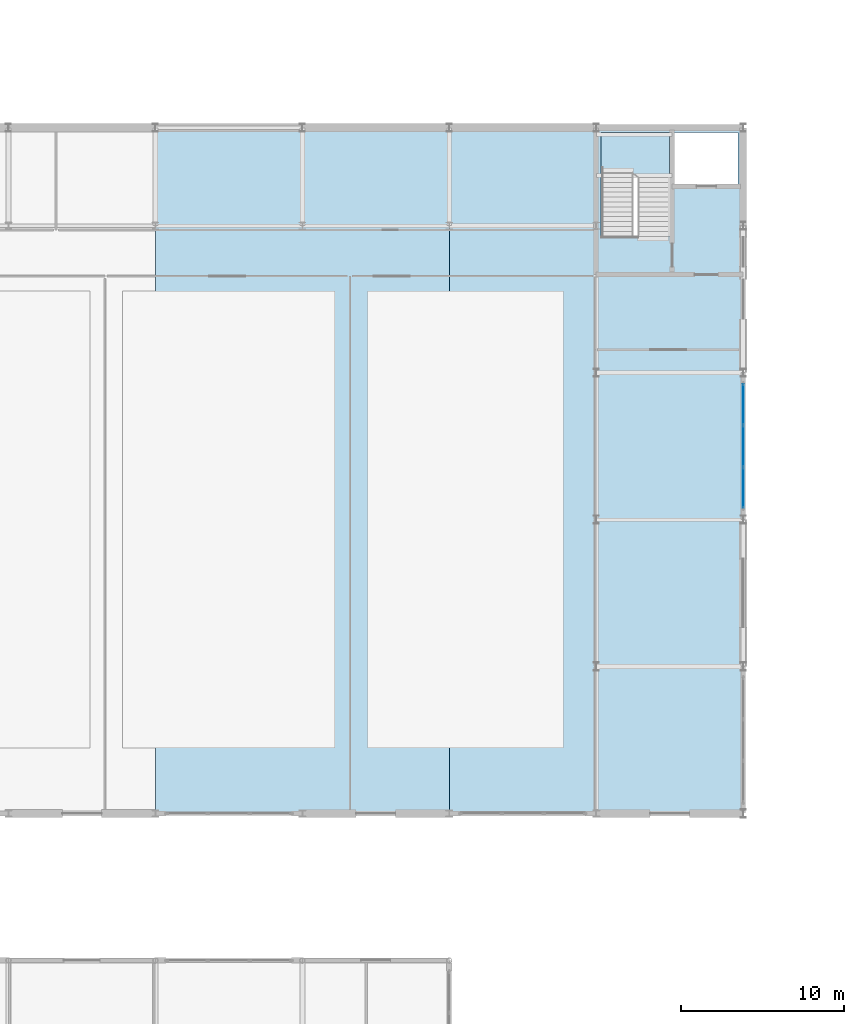
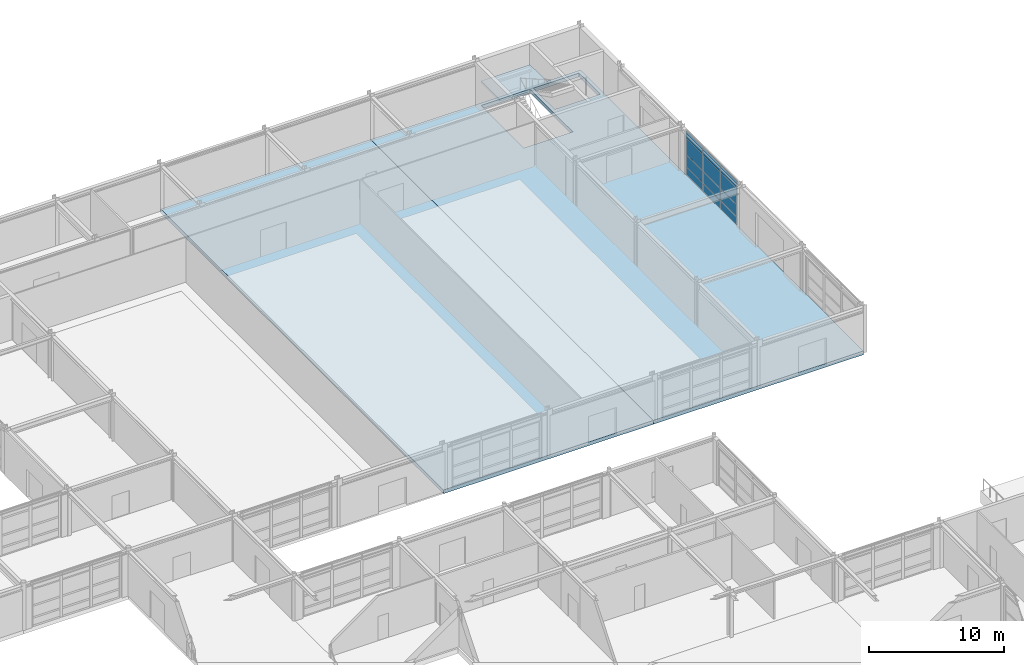
# One storey, part 54 of 72: 12 plates, 3 slabs, 1 element without a shape of its own.
"""IFC4 building model written with IfcOpenShell, lengths in metres."""

from ifc_helpers import new_model, si_unit, direction, frame, origin, origin_2d, place, context, subcontext, project, spatial, polyline, rectangle, outline, extrude, material, layer, layer_set, type_object, element, aggregate, save


model = new_model("IFC4")

# Units and contexts
model_context = context("Model", 3, precision=1e-05, world=origin(), true_north=direction((0.0, 1.0)))
body_context = subcontext(model_context, "Body", "Model", "MODEL_VIEW")
ifc_project = project(units=[si_unit("LENGTHUNIT", "METRE"), si_unit("AREAUNIT", "SQUARE_METRE"), si_unit("VOLUMEUNIT", "CUBIC_METRE"), si_unit("PLANEANGLEUNIT", "RADIAN"), si_unit("MASSUNIT", "GRAM", prefix="KILO")], contexts=[model_context])

# Site, building, storey
site_placement = place(None, origin())
site = spatial("IfcSite", under=ifc_project, at=site_placement, CompositionType="ELEMENT")
building_placement = place(site_placement, origin())
building = spatial("IfcBuilding", under=site, at=building_placement, Name="Palais des Congres Ocreval", CompositionType="ELEMENT")
storey_placement = place(building_placement, origin())
storey = spatial("IfcBuildingStorey", under=building, at=storey_placement, Name="L00", CompositionType="ELEMENT", Elevation=0.0)

# Curtain wall, plates
ifc_material_1 = material(Name="Anodized bronze aluminium and low-E glass", Category="glass")
curtain_wall_type = type_object("IfcCurtainWallType", Name="Unitised Curtain Wall 7900x4060", PredefinedType="USERDEFINED", material=ifc_material_1)
curtain_wall_placement = place(storey_placement, origin())
curtain_wall = element("IfcCurtainWall", 1, at=curtain_wall_placement, inside=storey, type_object=curtain_wall_type, Name="Unitised Curtain Wall CW01 L00", ObjectType="UNITISED CURTAIN WALL", PredefinedType="USERDEFINED")
ifc_material_2 = material(Name="Acoustic triple glazing", Category="glass")
ifc_layer_1 = layer(ifc_material_2, 0.0439453125)
ifc_layer_set_1 = layer_set([ifc_layer_1], Name="Acoustic Laminated Glazing Panel 44 (Acoustic triple glazing)")
plate_type_1 = type_object("IfcPlateType", Name="Acoustic Laminated Glazing Panel 44", PredefinedType="CURTAIN_PANEL", material=ifc_layer_set_1)
plate_1_placement = place(storey_placement, frame((162.0, 97.0478515625, 0.06005859375), z_axis=(0.0, 0.0, 1.0), x_axis=(0.0, -1.0, 0.0)))
plate_1 = element("IfcPlate", 2, at=plate_1_placement, type_object=plate_type_1, Name="Vision Glazing Panel VP02", PredefinedType="CURTAIN_PANEL", context=body_context, shape_type="SweptSolid", body=[
    extrude(rectangle(XDim=2.4541015625, YDim=0.0439453125, at=origin_2d()), origin(), (0.0, 0.0, 1.0), 0.68994140625),
])
plate_2_placement = place(storey_placement, frame((162.0, 97.0478515625, 0.81005859375), z_axis=(0.0, 0.0, 1.0), x_axis=(0.0, -1.0, 0.0)))
plate_2 = element("IfcPlate", 3, at=plate_2_placement, type_object=plate_type_1, Name="Vision Glazing Panel VP02", PredefinedType="CURTAIN_PANEL", context=body_context, shape_type="SweptSolid", body=[
    extrude(rectangle(XDim=2.4541015625, YDim=0.0439453125, at=origin_2d()), origin(), (0.0, 0.0, 1.0), 1.03271484375),
])
plate_3_placement = place(storey_placement, frame((162.0, 97.0478515625, 1.90283203125), z_axis=(0.0, 0.0, 1.0), x_axis=(0.0, -1.0, 0.0)))
plate_3 = element("IfcPlate", 4, at=plate_3_placement, type_object=plate_type_1, Name="Vision Glazing Panel VP02", PredefinedType="CURTAIN_PANEL", context=body_context, shape_type="SweptSolid", body=[
    extrude(rectangle(XDim=2.4541015625, YDim=0.0439453125, at=origin_2d()), origin(), (0.0, 0.0, 1.0), 1.47216796875),
])
plate_4_placement = place(storey_placement, frame((162.0, 94.5, 0.06005859375), z_axis=(0.0, 0.0, 1.0), x_axis=(0.0, -1.0, 0.0)))
plate_4 = element("IfcPlate", 5, at=plate_4_placement, type_object=plate_type_1, Name="Vision Glazing Panel VP02", PredefinedType="CURTAIN_PANEL", context=body_context, shape_type="SweptSolid", body=[
    extrude(rectangle(XDim=2.49169921875, YDim=0.0439453125, at=origin_2d()), origin(), (0.0, 0.0, 1.0), 0.68994140625),
])
plate_5_placement = place(storey_placement, frame((162.0, 94.5, 0.81005859375), z_axis=(0.0, 0.0, 1.0), x_axis=(0.0, -1.0, 0.0)))
plate_5 = element("IfcPlate", 6, at=plate_5_placement, type_object=plate_type_1, Name="Vision Glazing Panel VP02", PredefinedType="CURTAIN_PANEL", context=body_context, shape_type="SweptSolid", body=[
    extrude(rectangle(XDim=2.49169921875, YDim=0.0439453125, at=origin_2d()), origin(), (0.0, 0.0, 1.0), 1.03271484375),
])
plate_6_placement = place(storey_placement, frame((162.0, 94.5, 1.90283203125), z_axis=(0.0, 0.0, 1.0), x_axis=(0.0, -1.0, 0.0)))
plate_6 = element("IfcPlate", 7, at=plate_6_placement, type_object=plate_type_1, Name="Vision Glazing Panel VP02", PredefinedType="CURTAIN_PANEL", context=body_context, shape_type="SweptSolid", body=[
    extrude(rectangle(XDim=2.49169921875, YDim=0.0439453125, at=origin_2d()), origin(), (0.0, 0.0, 1.0), 1.47216796875),
])
plate_7_placement = place(storey_placement, frame((162.0, 91.9521484375, 0.06005859375), z_axis=(0.0, 0.0, 1.0), x_axis=(0.0, -1.0, 0.0)))
plate_7 = element("IfcPlate", 8, at=plate_7_placement, type_object=plate_type_1, Name="Vision Glazing Panel VP02", PredefinedType="CURTAIN_PANEL", context=body_context, shape_type="SweptSolid", body=[
    extrude(rectangle(XDim=2.4541015625, YDim=0.0439453125, at=origin_2d()), origin(), (0.0, 0.0, 1.0), 0.68994140625),
])
plate_8_placement = place(storey_placement, frame((162.0, 91.9521484375, 0.81005859375), z_axis=(0.0, 0.0, 1.0), x_axis=(0.0, -1.0, 0.0)))
plate_8 = element("IfcPlate", 9, at=plate_8_placement, type_object=plate_type_1, Name="Vision Glazing Panel VP02", PredefinedType="CURTAIN_PANEL", context=body_context, shape_type="SweptSolid", body=[
    extrude(rectangle(XDim=2.4541015625, YDim=0.0439453125, at=origin_2d()), origin(), (0.0, 0.0, 1.0), 1.03271484375),
])
plate_9_placement = place(storey_placement, frame((162.0, 91.9521484375, 1.90283203125), z_axis=(0.0, 0.0, 1.0), x_axis=(0.0, -1.0, 0.0)))
plate_9 = element("IfcPlate", 10, at=plate_9_placement, type_object=plate_type_1, Name="Vision Glazing Panel VP02", PredefinedType="CURTAIN_PANEL", context=body_context, shape_type="SweptSolid", body=[
    extrude(rectangle(XDim=2.4541015625, YDim=0.0439453125, at=origin_2d()), origin(), (0.0, 0.0, 1.0), 1.47216796875),
])
ifc_material_3 = material(Name="Anodized bronze aluminium", Category="aluminium")
ifc_layer_2 = layer(ifc_material_3, 0.06005859375)
ifc_layer_set_2 = layer_set([ifc_layer_2], Name="Anodized Bronze Spandrel Cassette 60 (Anodized bronze aluminium)")
plate_type_2 = type_object("IfcPlateType", Name="Anodized Bronze Spandrel Cassette 60", PredefinedType="SHEET", material=ifc_layer_set_2)
plate_10_placement = place(storey_placement, frame((162.0, 97.0478515625, 3.43505859375), z_axis=(0.0, 0.0, 1.0), x_axis=(0.0, -1.0, 0.0)))
plate_10 = element("IfcPlate", 11, at=plate_10_placement, type_object=plate_type_2, Name="Spandrel Sheet SPN1", PredefinedType="SHEET", context=body_context, shape_type="SweptSolid", body=[
    extrude(rectangle(XDim=2.4541015625, YDim=0.06005859375, at=origin_2d()), origin(), (0.0, 0.0, 1.0), 0.56005859375),
])
plate_11_placement = place(storey_placement, frame((162.0, 94.5, 3.43505859375), z_axis=(0.0, 0.0, 1.0), x_axis=(0.0, -1.0, 0.0)))
plate_11 = element("IfcPlate", 12, at=plate_11_placement, type_object=plate_type_2, Name="Spandrel Sheet SPN1", PredefinedType="SHEET", context=body_context, shape_type="SweptSolid", body=[
    extrude(rectangle(XDim=2.49169921875, YDim=0.06005859375, at=origin_2d()), origin(), (0.0, 0.0, 1.0), 0.56005859375),
])
plate_12_placement = place(storey_placement, frame((162.0, 91.9521484375, 3.43505859375), z_axis=(0.0, 0.0, 1.0), x_axis=(0.0, -1.0, 0.0)))
plate_12 = element("IfcPlate", 13, at=plate_12_placement, type_object=plate_type_2, Name="Spandrel Sheet SPN1", PredefinedType="SHEET", context=body_context, shape_type="SweptSolid", body=[
    extrude(rectangle(XDim=2.4541015625, YDim=0.06005859375, at=origin_2d()), origin(), (0.0, 0.0, 1.0), 0.56005859375),
])
aggregate(curtain_wall, [plate_1, plate_2, plate_3, plate_10, plate_4, plate_5, plate_6, plate_11, plate_7, plate_8, plate_9, plate_12])

# Slabs
ifc_material_4 = material(Name="Concrete C40/50", Category="concrete")
ifc_layer_3 = layer(ifc_material_4, 0.340087890625)
ifc_layer_set_3 = layer_set([ifc_layer_3], Name="Ballroom Acoustic Floor Slab 340 Concrete C40/50")
slab_type_1 = type_object("IfcSlabType", Name="Ballroom Acoustic Floor Slab 340 Concrete C40/50", PredefinedType="FLOOR", material=ifc_layer_set_3)
slab_1_placement = place(storey_placement, frame((0.0, 0.0, -0.340087890625)))
element("IfcSlab", 14, at=slab_1_placement, inside=storey, type_object=slab_type_1, Name="Floor Slab SL05 L00 V2-3", PredefinedType="FLOOR", context=body_context, shape_type="SweptSolid", body=[
    extrude(outline(polyline([(126.0, 72.0), (126.0, 114.0), (144.0, 114.0), (144.0, 72.0), (126.0, 72.0)])), origin(), (0.0, 0.0, 1.0), 0.340087890625),
])
slab_2_placement = place(storey_placement, frame((0.0, 0.0, -0.340087890625)))
element("IfcSlab", 15, at=slab_2_placement, inside=storey, type_object=slab_type_1, Name="Floor Slab SL05 L00 V2-4", PredefinedType="FLOOR", context=body_context, shape_type="SweptSolid", body=[
    extrude(outline(polyline([(144.0, 72.0), (144.0, 114.0), (162.0, 114.0), (162.0, 72.0), (144.0, 72.0)]), holes=[polyline([(153.300048828125, 113.699951171875), (153.300048828125, 107.35009765625), (157.5, 107.35009765625), (157.5, 113.699951171875), (153.300048828125, 113.699951171875)]), polyline([(161.699951171875, 113.699951171875), (157.800048828125, 113.699951171875), (157.800048828125, 110.550048828125), (161.699951171875, 110.550048828125), (161.699951171875, 113.699951171875)])]), origin(), (0.0, 0.0, 1.0), 0.340087890625),
])
ifc_layer_4 = layer(ifc_material_4, 0.199951171875)
ifc_layer_set_4 = layer_set([ifc_layer_4], Name="Stair and Ramp Landing Slab 200 Concrete C40/50")
slab_type_2 = type_object("IfcSlabType", Name="Stair and Ramp Landing Slab 200 Concrete C40/50", PredefinedType="LANDING", material=ifc_layer_set_4)
slab_3_placement = place(storey_placement, frame((0.0, 0.0, 2.0400390625)))
element("IfcSlab", 16, at=slab_3_placement, inside=storey, type_object=slab_type_2, Name="Stair Half-Landing ST08 L00", PredefinedType="LANDING", context=body_context, shape_type="SweptSolid", body=[
    extrude(outline(polyline([(153.300048828125, 110.949951171875), (157.5, 110.949951171875), (157.5, 113.699951171875), (153.300048828125, 113.699951171875), (153.300048828125, 110.949951171875)])), origin(), (0.0, 0.0, 1.0), 0.199951171875),
])

save(model, "model.ifc")
